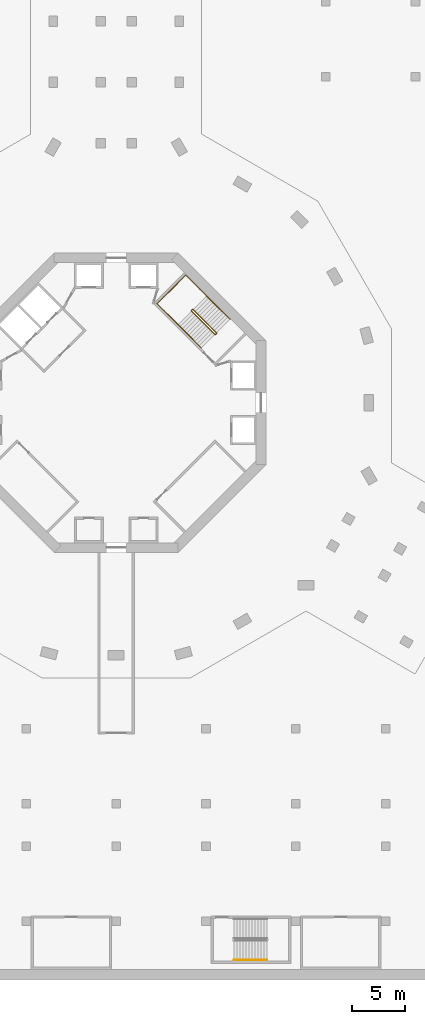
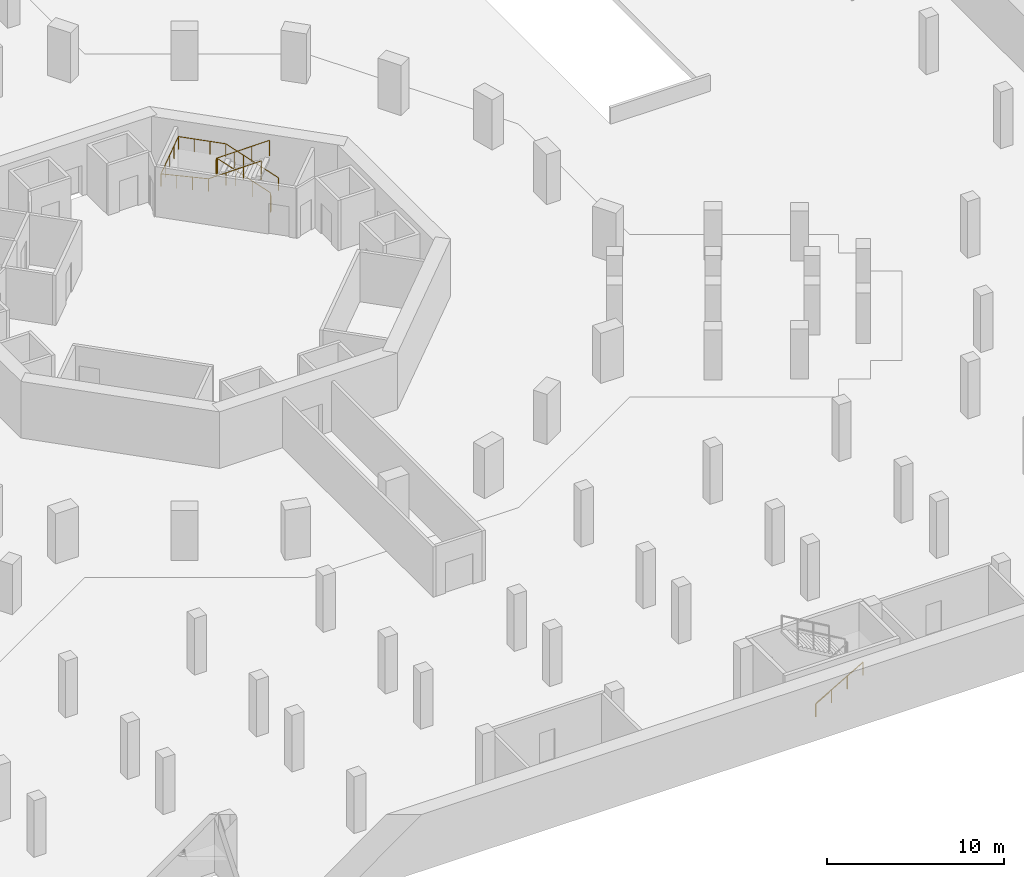
# One storey, part 20 of 25: 3 railings.
"""IFC4 building model written with IfcOpenShell, lengths in metres."""

from ifc_helpers import new_model, si_unit, direction, frame, origin, origin_2d, place, context, subcontext, project, spatial, circle, extrude, material, type_object, element, save


model = new_model("IFC4")

# Units and contexts
model_context = context("Model", 3, precision=1e-05, world=origin(), true_north=direction((0.0, 1.0)))
body_context = subcontext(model_context, "Body", "Model", "MODEL_VIEW")
ifc_project = project(units=[si_unit("LENGTHUNIT", "METRE"), si_unit("AREAUNIT", "SQUARE_METRE"), si_unit("VOLUMEUNIT", "CUBIC_METRE"), si_unit("PLANEANGLEUNIT", "RADIAN"), si_unit("MASSUNIT", "GRAM", prefix="KILO")], contexts=[model_context])

# Site, building, storey
site_placement = place(None, origin())
site = spatial("IfcSite", under=ifc_project, at=site_placement, CompositionType="ELEMENT")
building_placement = place(site_placement, origin())
building = spatial("IfcBuilding", under=site, at=building_placement, Name="Verdalira Terraces Hotel", CompositionType="ELEMENT")
storey_placement = place(building_placement, frame((0.0, 0.0, -7.800049)))
storey = spatial("IfcBuildingStorey", under=building, at=storey_placement, Name="B2", CompositionType="ELEMENT", Elevation=-7.800048828125)

# Railings
ifc_material_1 = material(Name="Stainless steel", Category="steel")
railing_type_1 = type_object("IfcRailingType", Name="Stair guard 1100", PredefinedType="GUARDRAIL", material=ifc_material_1)
railing_1_placement = place(storey_placement, frame((9.369141, 6.469971, 0.0)))
element("IfcRailing", 1, at=railing_1_placement, inside=storey, type_object=railing_type_1, Name="B2 ST1 stair guard 1", PredefinedType="GUARDRAIL", context=body_context, shape_type="SweptSolid", body=[
    extrude(circle(Radius=0.023926, at=origin_2d()), frame((0.0, 0.0, 1.076172), z_axis=(-0.70832698, -0.705884473, 0.0), x_axis=(0.705884473, -0.70832698, 0.0)), (0.0, 0.0, 1.0), 0.099854),
    extrude(circle(Radius=0.023926, at=origin_2d()), frame((-0.070801, -0.070557, 1.076172), z_axis=(0.312189663, 0.623302809, 0.716959708), x_axis=(-0.894118129, 0.447831187, 0.0)), (0.0, 0.0, 1.0), 0.226807),
    extrude(circle(Radius=0.023926, at=origin_2d()), frame((0.0, 0.070801, 1.23877), z_axis=(-0.611619215, 0.611550655, 0.50192403), x_axis=(-0.707067146, -0.707146414, 0.0)), (0.0, 0.0, 1.0), 3.561035),
    extrude(circle(Radius=0.023926, at=origin_2d()), frame((-2.177979, 2.248535, 3.025879), z_axis=(-1.0, 0.0, 0.0), x_axis=(0.0, -1.0, 0.0)), (0.0, 0.0, 1.0), 0.070557),
    extrude(circle(Radius=0.023926, at=origin_2d()), frame((-2.248535, 2.248535, 3.025879), z_axis=(-0.70832698, -0.705884473, 0.0), x_axis=(0.705884473, -0.70832698, 0.0)), (0.0, 0.0, 1.0), 0.099854),
    extrude(circle(Radius=0.023926, at=origin_2d()), frame((-2.319336, 2.177979, 3.025879), z_axis=(0.0, -0.399229438, 0.916851054), x_axis=(1.0, 0.0, 0.0)), (0.0, 0.0, 1.0), 0.177246),
    extrude(circle(Radius=0.023926, at=origin_2d()), frame((-2.319336, 2.107178, 3.188477), z_axis=(0.611598168, -0.611529611, 0.501975315), x_axis=(0.707067146, 0.707146414, 0.0)), (0.0, 0.0, 1.0), 3.561035),
    extrude(circle(Radius=0.020996, at=origin_2d()), origin(), (0.0, 0.0, 1.0), 1.052002),
    extrude(circle(Radius=0.020996, at=origin_2d()), frame((-0.070801, -0.070557, 0.0)), (0.0, 0.0, 1.0), 1.052002),
    extrude(circle(Radius=0.020996, at=origin_2d()), frame((0.0, 0.070801, 0.162598)), (0.0, 0.0, 1.0), 1.052002),
    extrude(circle(Radius=0.020996, at=origin_2d()), frame((-0.726074, 0.796631, 0.758301)), (0.0, 0.0, 1.0), 1.052002),
    extrude(circle(Radius=0.020996, at=origin_2d()), frame((-1.451904, 1.522705, 1.354248)), (0.0, 0.0, 1.0), 1.052002),
    extrude(circle(Radius=0.020996, at=origin_2d()), frame((-2.177979, 2.248535, 1.949951)), (0.0, 0.0, 1.0), 1.052002),
    extrude(circle(Radius=0.020996, at=origin_2d()), frame((-2.248535, 2.248535, 1.949951)), (0.0, 0.0, 1.0), 1.052002),
    extrude(circle(Radius=0.020996, at=origin_2d()), frame((-2.319336, 2.177979, 1.949951)), (0.0, 0.0, 1.0), 1.052002),
    extrude(circle(Radius=0.020996, at=origin_2d()), frame((-2.319336, 2.107178, 2.112549)), (0.0, 0.0, 1.0), 1.052002),
    extrude(circle(Radius=0.020996, at=origin_2d()), frame((-1.593262, 1.381348, 2.708496)), (0.0, 0.0, 1.0), 1.052002),
    extrude(circle(Radius=0.020996, at=origin_2d()), frame((-0.867432, 0.655273, 3.304199)), (0.0, 0.0, 1.0), 1.052002),
    extrude(circle(Radius=0.020996, at=origin_2d()), frame((-0.141357, -0.070557, 3.900146)), (0.0, 0.0, 1.0), 1.052002),
])
ifc_material_2 = material(Name="Stainless steel", Category="steel")
railing_type_2 = type_object("IfcRailingType", Name="Stair handrail 900", PredefinedType="HANDRAIL", material=ifc_material_2)
railing_2_placement = place(storey_placement, frame((10.641846, 7.813477, 0.162598)))
element("IfcRailing", 2, at=railing_2_placement, inside=storey, type_object=railing_type_2, Name="B2 ST1 stair handrail 1", PredefinedType="HANDRAIL", context=body_context, shape_type="SweptSolid", body=[
    extrude(circle(Radius=0.023926, at=origin_2d()), frame((0.0, 0.0, 0.875977), z_axis=(-0.611550655, 0.611619215, 0.50192403), x_axis=(-0.707146414, -0.707067146, 0.0)), (0.0, 0.0, 1.0), 3.561035),
    extrude(circle(Radius=0.023926, at=origin_2d()), frame((-2.177734, 2.177979, 2.663086), z_axis=(-0.707106781, 0.707106781, 0.0), x_axis=(-0.707106781, -0.707106781, 0.0)), (0.0, 0.0, 1.0), 2.77002),
    extrude(circle(Radius=0.023926, at=origin_2d()), frame((-4.136475, 4.136719, 2.663086), z_axis=(-0.707106781, -0.707106781, 0.0), x_axis=(0.707106781, -0.707106781, 0.0)), (0.0, 0.0, 1.0), 3.800049),
    extrude(circle(Radius=0.023926, at=origin_2d()), frame((-6.823486, 1.449707, 2.663086), z_axis=(0.705891772, -0.705891772, 0.058597024), x_axis=(0.707106781, 0.707106781, 0.0)), (0.0, 0.0, 1.0), 2.774902),
    extrude(circle(Radius=0.023926, at=origin_2d()), frame((-4.864746, -0.509033, 2.825684), z_axis=(0.611529611, -0.611598168, 0.501975315), x_axis=(0.707146414, 0.707067146, 0.0)), (0.0, 0.0, 1.0), 3.561035),
    extrude(circle(Radius=0.020996, at=origin_2d()), origin(), (0.0, 0.0, 1.0), 0.851807),
    extrude(circle(Radius=0.020996, at=origin_2d()), frame((-0.72583, 0.726074, 0.595703)), (0.0, 0.0, 1.0), 0.851807),
    extrude(circle(Radius=0.020996, at=origin_2d()), frame((-1.451904, 1.451904, 1.19165)), (0.0, 0.0, 1.0), 0.851807),
    extrude(circle(Radius=0.020996, at=origin_2d()), frame((-2.177734, 2.177979, 1.787354)), (0.0, 0.0, 1.0), 0.851807),
    extrude(circle(Radius=0.020996, at=origin_2d()), frame((-2.830566, 2.830811, 1.787354)), (0.0, 0.0, 1.0), 0.851807),
    extrude(circle(Radius=0.020996, at=origin_2d()), frame((-3.483643, 3.483887, 1.787354)), (0.0, 0.0, 1.0), 0.851807),
    extrude(circle(Radius=0.020996, at=origin_2d()), frame((-4.136475, 4.136719, 1.787354)), (0.0, 0.0, 1.0), 0.851807),
    extrude(circle(Radius=0.020996, at=origin_2d()), frame((-4.808105, 3.464844, 1.787354)), (0.0, 0.0, 1.0), 0.851807),
    extrude(circle(Radius=0.020996, at=origin_2d()), frame((-5.47998, 2.793213, 1.787354)), (0.0, 0.0, 1.0), 0.851807),
    extrude(circle(Radius=0.020996, at=origin_2d()), frame((-6.151855, 2.121582, 1.787354)), (0.0, 0.0, 1.0), 0.851807),
    extrude(circle(Radius=0.020996, at=origin_2d()), frame((-6.823486, 1.449707, 1.787354)), (0.0, 0.0, 1.0), 0.851807),
    extrude(circle(Radius=0.020996, at=origin_2d()), frame((-6.170654, 0.796875, 1.841553)), (0.0, 0.0, 1.0), 0.851807),
    extrude(circle(Radius=0.020996, at=origin_2d()), frame((-5.517578, 0.143799, 1.895752)), (0.0, 0.0, 1.0), 0.851807),
    extrude(circle(Radius=0.020996, at=origin_2d()), frame((-4.864746, -0.509033, 1.949951)), (0.0, 0.0, 1.0), 0.851807),
    extrude(circle(Radius=0.020996, at=origin_2d()), frame((-4.138916, -1.235107, 2.545898)), (0.0, 0.0, 1.0), 0.851807),
    extrude(circle(Radius=0.020996, at=origin_2d()), frame((-3.412842, -1.960938, 3.141602)), (0.0, 0.0, 1.0), 0.851807),
    extrude(circle(Radius=0.020996, at=origin_2d()), frame((-2.687012, -2.687012, 3.737549)), (0.0, 0.0, 1.0), 0.851807),
])
railing_3_placement = place(storey_placement, frame((11.024902, -52.149902, 0.162598)))
element("IfcRailing", 3, at=railing_3_placement, inside=storey, type_object=railing_type_2, Name="B2 Basement stair 6 stair handrail 1", PredefinedType="HANDRAIL", context=body_context, shape_type="SweptSolid", body=[
    extrude(circle(Radius=0.023926, at=origin_2d()), frame((0.0, 0.0, 0.875977), z_axis=(0.864920483, 0.0, 0.501908914), x_axis=(0.0, 1.0, 0.0)), (0.0, 0.0, 1.0), 3.561035),
    extrude(circle(Radius=0.020996, at=origin_2d()), origin(), (0.0, 0.0, 1.0), 0.851807),
    extrude(circle(Radius=0.020996, at=origin_2d()), frame((1.026611, 0.0, 0.595703)), (0.0, 0.0, 1.0), 0.851807),
    extrude(circle(Radius=0.020996, at=origin_2d()), frame((2.053467, 0.0, 1.19165)), (0.0, 0.0, 1.0), 0.851807),
    extrude(circle(Radius=0.020996, at=origin_2d()), frame((3.080078, 0.0, 1.787354)), (0.0, 0.0, 1.0), 0.851807),
])

save(model, "model.ifc")
